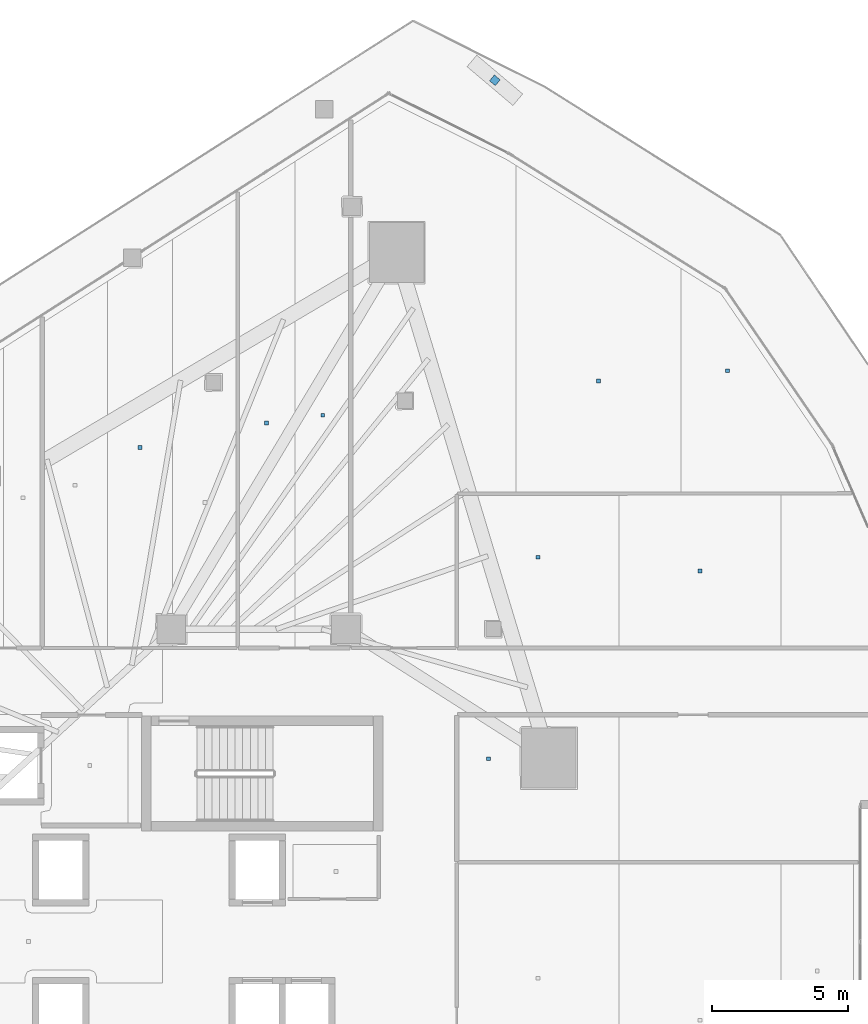
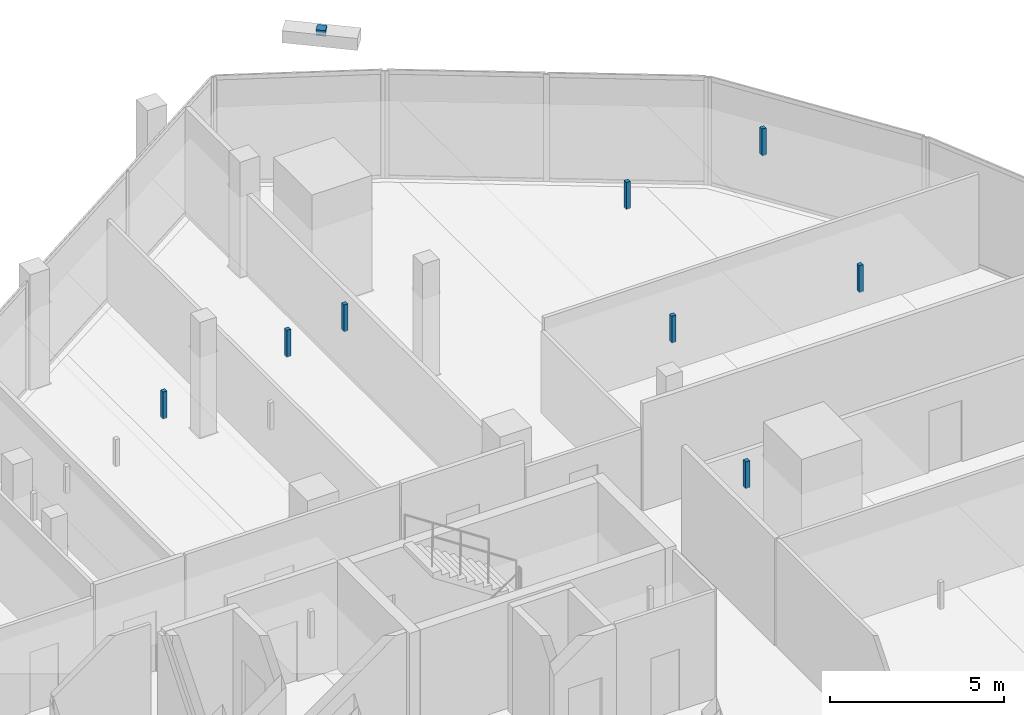
# One storey, part 35 of 44: 9 discrete accessories.
"""IFC4 building model written with IfcOpenShell, lengths in metres."""

from ifc_helpers import new_model, si_unit, direction, frame, origin, origin_2d, place, context, subcontext, project, spatial, rectangle, extrude, material, type_object, element, save


model = new_model("IFC4")

# Units and contexts
model_context = context("Model", 3, precision=1e-05, world=origin(), true_north=direction((0.0, 1.0)))
body_context = subcontext(model_context, "Body", "Model", "MODEL_VIEW")
ifc_project = project(units=[si_unit("LENGTHUNIT", "METRE"), si_unit("AREAUNIT", "SQUARE_METRE"), si_unit("VOLUMEUNIT", "CUBIC_METRE"), si_unit("PLANEANGLEUNIT", "RADIAN"), si_unit("MASSUNIT", "GRAM", prefix="KILO")], contexts=[model_context])

# Site, building, storey
site_placement = place(None, origin())
site = spatial("IfcSite", under=ifc_project, at=site_placement, CompositionType="ELEMENT")
building_placement = place(site_placement, origin())
building = spatial("IfcBuilding", under=site, at=building_placement, Name="Qorvath Tower", CompositionType="ELEMENT")
storey_placement = place(building_placement, frame((0.0, 0.0, 113.85009765625)))
storey = spatial("IfcBuildingStorey", under=building, at=storey_placement, Name="L25", CompositionType="ELEMENT", Elevation=113.85009765625)

# Discrete accessories
ifc_material = material(Name="Galvanised steel bracket", Category="steel")
discrete_accessory_type = type_object("IfcDiscreteAccessoryType", Name="DA-BRACKET", PredefinedType="BRACKET", material=ifc_material)
discrete_accessory_placement = place(storey_placement, frame((-11.746826171875, 31.559814453125, 3.6298828125), z_axis=(0.0, 0.0, 1.0), x_axis=(-0.763708151735, 0.645561661636, 0.0)))
element("IfcDiscreteAccessory", 1, at=discrete_accessory_placement, inside=storey, type_object=discrete_accessory_type, Name="Louvre Wave Support Bracket L25-03", PredefinedType="NOTDEFINED", context=body_context, shape_type="SweptSolid", body=[
    extrude(rectangle(XDim=0.280029296875, YDim=0.280029296875, at=origin_2d()), origin(), (0.0, 0.0, 1.0), 0.199951171875),
])
for number, where, z_axis, x_axis, name in (
    (2, (-24.745849609375, 18.107177734375, 2.85986328125), (0.0, 0.0, 1.0), (1.0, 0.0, 0.0), "Acoustic Ceiling Suspension Hanger T1-L25-016"),
    (3, (-20.1142578125, 19.0068359375, 2.85986328125), (0.0, 0.0, 1.0), (1.0, 0.0, 0.0), "Acoustic Ceiling Suspension Hanger T1-L25-018"),
    (4, (-18.05419921875, 19.28955078125, 2.85986328125), (0.0, 0.0, 1.0), (1.0, 0.0, 0.0), "Acoustic Ceiling Suspension Hanger T1-L25-019"),
    (5, (-7.948486328125, 20.544677734375, 2.85986328125), (0.0, 0.0, 1.0), (1.0, 0.0, 0.0), "Acoustic Ceiling Suspension Hanger T1-L25-021"),
    (6, (-3.2275390625, 20.914306640625, 2.85986328125), (0.0, 0.0, 1.0), (1.0, 0.0, 0.0), "Acoustic Ceiling Suspension Hanger T1-L25-022"),
    (7, (-10.16943359375, 14.084716796875, 2.85986328125), (0.0, 0.0, 1.0), (1.0, 0.0, 0.0), "Acoustic Ceiling Suspension Hanger T1-L25-040"),
    (8, (-11.979248046875, 6.7001953125, 2.85986328125), (0.0, 0.0, 1.0), (1.0, 0.0, 0.0), "Acoustic Ceiling Suspension Hanger T1-L25-041"),
    (9, (-4.234130859375, 13.583740234375, 2.85986328125), (0.0, 0.0, 1.0), (1.0, 0.0, 0.0), "Acoustic Ceiling Suspension Hanger T1-L25-042"),
):
    element("IfcDiscreteAccessory", number, at=place(storey_placement, frame(where, z_axis=z_axis, x_axis=x_axis)), inside=storey, type_object=discrete_accessory_type, Name=name, PredefinedType="NOTDEFINED", context=body_context, shape_type="SweptSolid", body=[
        extrude(rectangle(XDim=0.139892578125, YDim=0.139892578125, at=origin_2d()), origin(), (0.0, 0.0, 1.0), 0.940185546875),
    ])

save(model, "model.ifc")
